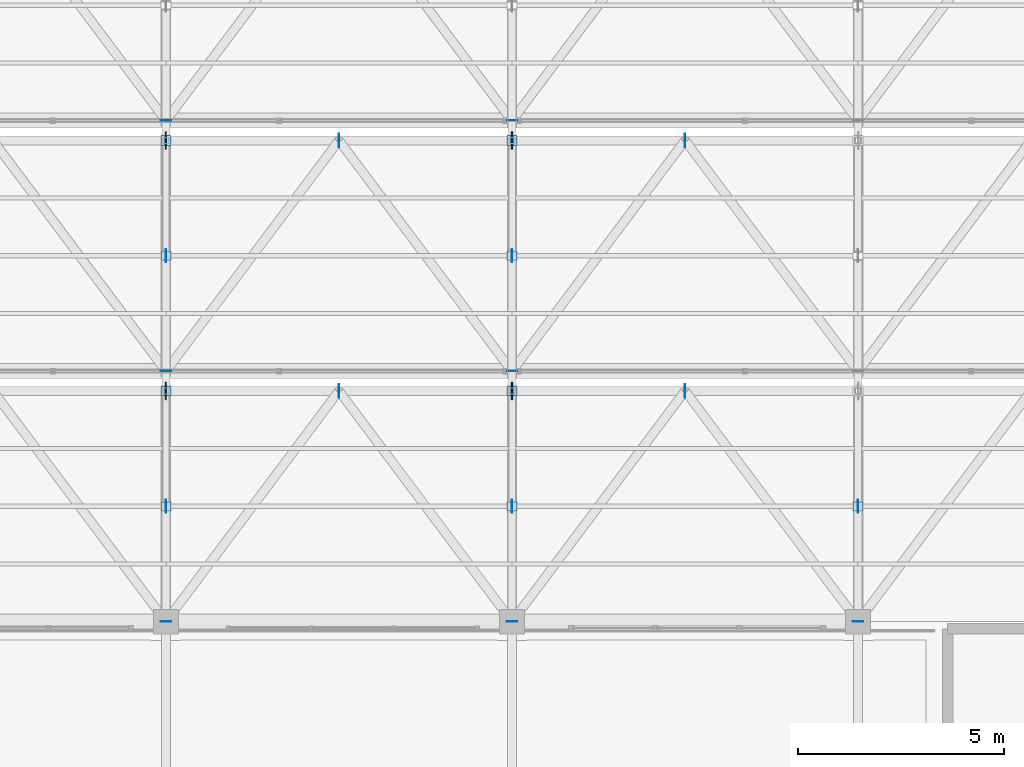
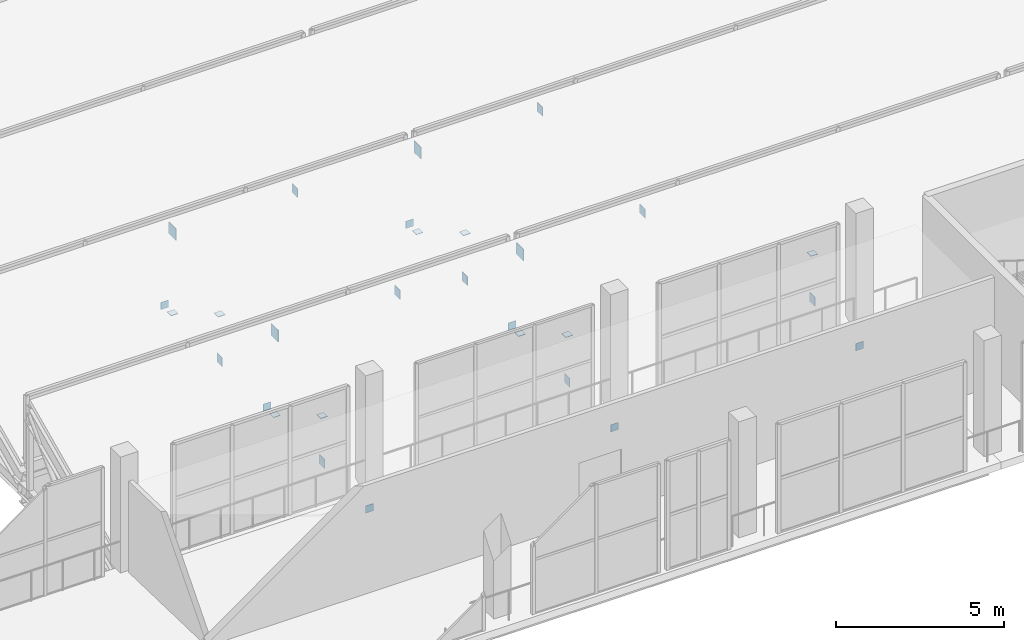
# One storey, part 180 of 217: 29 plates.
"""IFC4 building model written with IfcOpenShell, lengths in metres."""

from ifc_helpers import new_model, si_unit, direction, frame, origin, origin_2d, place, context, subcontext, project, spatial, rectangle, extrude, material, layer, layer_set, type_object, element, save


model = new_model("IFC4")

# Units and contexts
model_context = context("Model", 3, precision=1e-05, world=origin(), true_north=direction((0.0, 1.0)))
body_context = subcontext(model_context, "Body", "Model", "MODEL_VIEW")
ifc_project = project(units=[si_unit("LENGTHUNIT", "METRE"), si_unit("AREAUNIT", "SQUARE_METRE"), si_unit("VOLUMEUNIT", "CUBIC_METRE"), si_unit("PLANEANGLEUNIT", "RADIAN"), si_unit("MASSUNIT", "GRAM", prefix="KILO")], contexts=[model_context])

# Site, building, storey
site_placement = place(None, origin())
site = spatial("IfcSite", under=ifc_project, at=site_placement, CompositionType="ELEMENT")
building_placement = place(site_placement, origin())
building = spatial("IfcBuilding", under=site, at=building_placement, Name="Zuvorla Pavilion Media Centre", CompositionType="ELEMENT")
storey_placement = place(building_placement, frame((0.0, 0.0, 9.60009765625)))
storey = spatial("IfcBuildingStorey", under=building, at=storey_placement, Name="L02", CompositionType="ELEMENT", Elevation=9.60009765625)

# Plates
ifc_material = material(Name="Steel S355", Category="steel")
ifc_layer_1 = layer(ifc_material, 0.01611328125)
ifc_layer_set_1 = layer_set([ifc_layer_1], Name="Steel S355")
plate_type_1 = type_object("IfcPlateType", Name="PLT-CAP-16", PredefinedType="USERDEFINED", material=ifc_layer_set_1)
for number, where, z_axis, x_axis, name in (
    (1, (75.199951171875, 89.60009765625, -1.01025390625), (0.0, 0.0, 1.0), (1.0, 0.0, 0.0), "L02 cap plate CP16 4"),
    (2, (83.60009765625, 89.60009765625, -1.01025390625), (0.0, 0.0, 1.0), (1.0, 0.0, 0.0), "L02 cap plate CP16 6"),
    (3, (92.0, 89.60009765625, -1.01025390625), (0.0, 0.0, 1.0), (1.0, 0.0, 0.0), "L02 cap plate CP16 8"),
    (4, (75.199951171875, 95.679931640625, -1.01025390625), (0.0, 0.0, 1.0), (1.0, 0.0, 0.0), "L02 cap plate CP16 22"),
    (5, (83.60009765625, 95.679931640625, -1.01025390625), (0.0, 0.0, 1.0), (1.0, 0.0, 0.0), "L02 cap plate CP16 24"),
    (6, (75.199951171875, 101.760009765625, -1.01025390625), (0.0, 0.0, 1.0), (1.0, 0.0, 0.0), "L02 cap plate CP16 40"),
    (7, (83.60009765625, 101.760009765625, -1.01025390625), (0.0, 0.0, 1.0), (1.0, 0.0, 0.0), "L02 cap plate CP16 42"),
):
    element("IfcPlate", number, at=place(storey_placement, frame(where, z_axis=z_axis, x_axis=x_axis)), inside=storey, type_object=plate_type_1, Name=name, ObjectType="CAP_PLATE", PredefinedType="USERDEFINED", context=body_context, shape_type="SweptSolid", body=[
        extrude(rectangle(XDim=0.260009765625, YDim=0.01611328125, at=origin_2d()), origin(), (0.0, 0.0, 1.0), 0.260009765625),
    ])
for number, where, z_axis, x_axis, name in (
    (8, (75.199951171875, 95.199951171875, -0.88818359375), (0.0, 0.0, 1.0), (1.0, 0.0, 0.0), "L02 cap plate CP16 220"),
    (9, (75.199951171875, 92.39990234375, 0.771728515625), (0.0, 0.0, 1.0), (1.0, 0.0, 0.0), "L02 cap plate CP16 222"),
    (10, (83.60009765625, 95.199951171875, -0.88818359375), (0.0, 0.0, 1.0), (1.0, 0.0, 0.0), "L02 cap plate CP16 223"),
    (11, (83.60009765625, 92.39990234375, 0.771728515625), (0.0, 0.0, 1.0), (1.0, 0.0, 0.0), "L02 cap plate CP16 225"),
    (12, (92.0, 92.39990234375, 0.771728515625), (0.0, 0.0, 1.0), (1.0, 0.0, 0.0), "L02 cap plate CP16 228"),
    (13, (75.199951171875, 101.280029296875, -0.88818359375), (0.0, 0.0, 1.0), (1.0, 0.0, 0.0), "L02 cap plate CP16 255"),
    (14, (75.199951171875, 98.47998046875, 0.771728515625), (0.0, 0.0, 1.0), (1.0, 0.0, 0.0), "L02 cap plate CP16 257"),
    (15, (83.60009765625, 101.280029296875, -0.88818359375), (0.0, 0.0, 1.0), (1.0, 0.0, 0.0), "L02 cap plate CP16 258"),
    (16, (83.60009765625, 98.47998046875, 0.771728515625), (0.0, 0.0, 1.0), (1.0, 0.0, 0.0), "L02 cap plate CP16 260"),
):
    element("IfcPlate", number, at=place(storey_placement, frame(where, z_axis=z_axis, x_axis=x_axis)), inside=storey, type_object=plate_type_1, Name=name, ObjectType="CAP_PLATE", PredefinedType="USERDEFINED", context=body_context, shape_type="SweptSolid", body=[
        extrude(rectangle(XDim=0.239990234375, YDim=0.239990234375, at=origin_2d()), origin(), (0.0, 0.0, 1.0), 0.01611328125),
    ])
ifc_layer_2 = layer(ifc_material, 0.02001953125)
ifc_layer_set_2 = layer_set([ifc_layer_2], Name="Steel S355")
plate_type_2 = type_object("IfcPlateType", Name="PLT-GUS-20", PredefinedType="USERDEFINED", material=ifc_layer_set_2)
for number, where, z_axis, x_axis, name in (
    (17, (75.199951171875, 92.39990234375, -1.0400390625), (0.0, 0.0, 1.0), (1.0, 0.0, 0.0), "L02 gusset plate GP20 221"),
    (18, (83.60009765625, 92.39990234375, -1.0400390625), (0.0, 0.0, 1.0), (1.0, 0.0, 0.0), "L02 gusset plate GP20 224"),
    (19, (92.0, 92.39990234375, -1.0400390625), (0.0, 0.0, 1.0), (1.0, 0.0, 0.0), "L02 gusset plate GP20 227"),
    (20, (79.39990234375, 95.199951171875, 1.919921875), (0.0, 0.0, 1.0), (1.0, 0.0, 0.0), "L02 gusset plate GP20 245"),
    (21, (87.800048828125, 95.199951171875, 1.919921875), (0.0, 0.0, 1.0), (1.0, 0.0, 0.0), "L02 gusset plate GP20 246"),
    (22, (75.199951171875, 98.47998046875, -1.0400390625), (0.0, 0.0, 1.0), (1.0, 0.0, 0.0), "L02 gusset plate GP20 256"),
    (23, (83.60009765625, 98.47998046875, -1.0400390625), (0.0, 0.0, 1.0), (1.0, 0.0, 0.0), "L02 gusset plate GP20 259"),
    (24, (79.39990234375, 101.280029296875, 1.919921875), (0.0, 0.0, 1.0), (1.0, 0.0, 0.0), "L02 gusset plate GP20 280"),
    (25, (87.800048828125, 101.280029296875, 1.919921875), (0.0, 0.0, 1.0), (1.0, 0.0, 0.0), "L02 gusset plate GP20 281"),
):
    element("IfcPlate", number, at=place(storey_placement, frame(where, z_axis=z_axis, x_axis=x_axis)), inside=storey, type_object=plate_type_2, Name=name, ObjectType="GUSSET_PLATE", PredefinedType="USERDEFINED", context=body_context, shape_type="SweptSolid", body=[
        extrude(rectangle(XDim=0.02001953125, YDim=0.320068359375, at=origin_2d()), origin(), (0.0, 0.0, 1.0), 0.320068359375),
    ])
ifc_layer_3 = layer(ifc_material, 0.02490234375)
ifc_layer_set_3 = layer_set([ifc_layer_3], Name="Steel S355")
plate_type_3 = type_object("IfcPlateType", Name="PLT-GUS-25", PredefinedType="USERDEFINED", material=ifc_layer_set_3)
for number, where, z_axis, x_axis, name in (
    (26, (75.199951171875, 95.199951171875, 1.87353515625), (0.0, 0.0, 1.0), (1.0, 0.0, 0.0), "L02 gusset plate GP25 3"),
    (27, (83.60009765625, 95.199951171875, 1.87353515625), (0.0, 0.0, 1.0), (1.0, 0.0, 0.0), "L02 gusset plate GP25 5"),
    (28, (75.199951171875, 101.280029296875, 1.87353515625), (0.0, 0.0, 1.0), (1.0, 0.0, 0.0), "L02 gusset plate GP25 21"),
    (29, (83.60009765625, 101.280029296875, 1.87353515625), (0.0, 0.0, 1.0), (1.0, 0.0, 0.0), "L02 gusset plate GP25 23"),
):
    element("IfcPlate", number, at=place(storey_placement, frame(where, z_axis=z_axis, x_axis=x_axis)), inside=storey, type_object=plate_type_3, Name=name, ObjectType="GUSSET_PLATE", PredefinedType="USERDEFINED", context=body_context, shape_type="SweptSolid", body=[
        extrude(rectangle(XDim=0.02490234375, YDim=0.419921875, at=origin_2d()), origin(), (0.0, 0.0, 1.0), 0.419921875),
    ])

save(model, "model.ifc")
